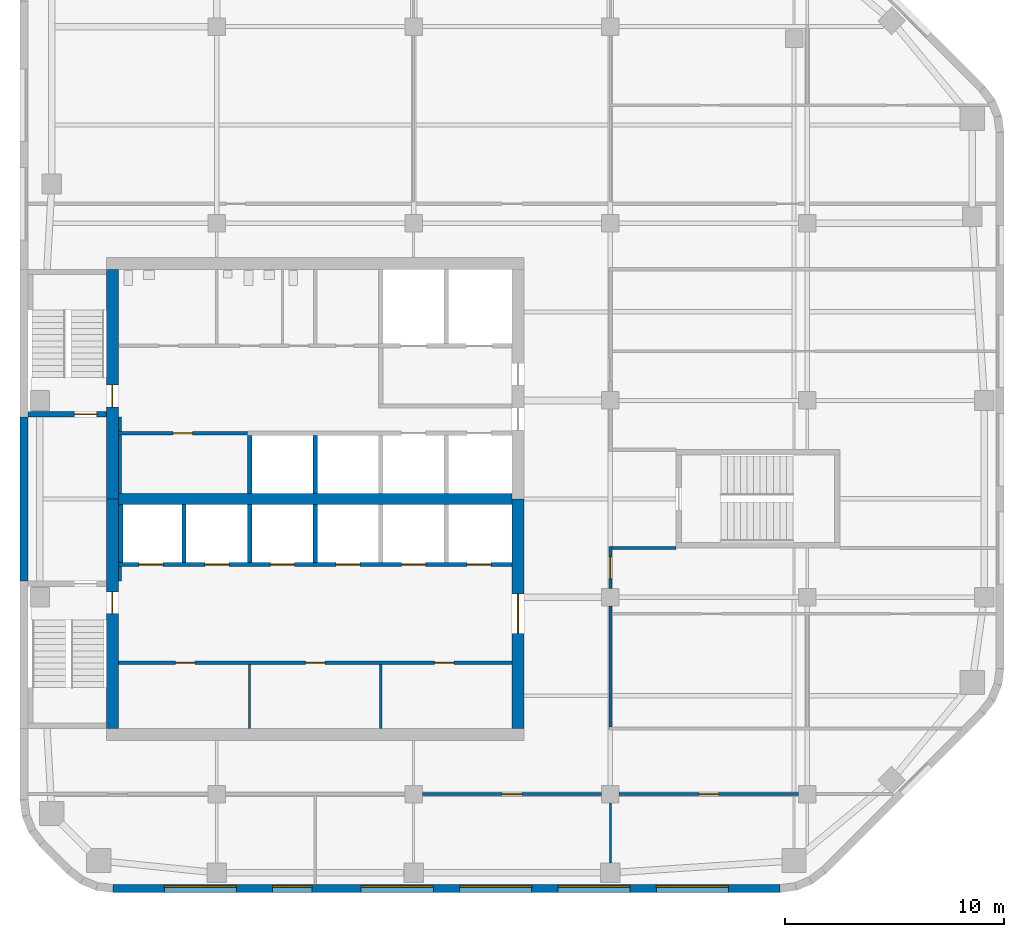
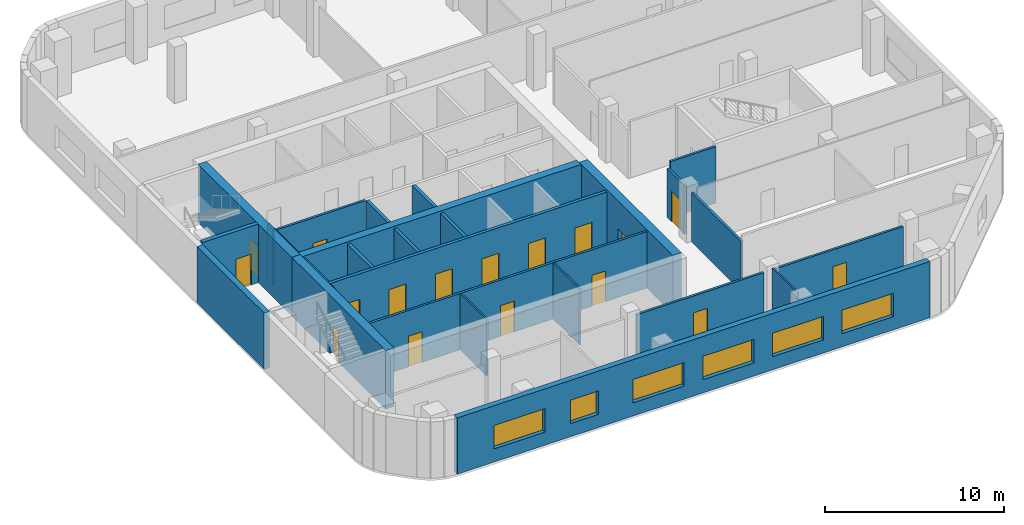
# One storey, part 3 of 8: 27 walls, 17 doors, 6 windows, 23 openings.
"""IFC4 building model written with IfcOpenShell, lengths in metres."""

import ifcopenshell
import ifcopenshell.guid

model = None  # the IFC model being written
_history = None  # IfcOwnerHistory: only IFC2X3 demands one
_inside = {}  # id of a spatial element -> (the spatial element, [elements in it])
_under = {}  # id of a project, library or spatial element -> (it, [spatial elements below it])
_declared = {}  # id of a project -> (the project, [libraries it declares])
_typed = {}  # id of a type object -> (the type object, [elements of that type])
_made_of = {}  # id of a material, layer set ... -> (it, [elements and type objects made of it])


def new_model(schema):
    """Start an empty IFC model of exactly this schema.

    Asked for "IFC4X3", IfcOpenShell would pick the latest addendum, in which some entities
    have other attributes; the version numbers below select the first issue.
    IFC2X3 requires an IfcOwnerHistory on every rooted entity: one is made here for all.
    """
    global model, _history
    if schema == "IFC4X3":
        model = ifcopenshell.file(schema_version=(4, 3, 0, 0))
    else:
        model = ifcopenshell.file(schema=schema)
    _inside.clear()
    _under.clear()
    _declared.clear()
    _typed.clear()
    _made_of.clear()
    _history = None
    if model.schema == "IFC2X3":
        org = make("IfcOrganization", Name="unknown")
        user = make(
            "IfcPersonAndOrganization",
            ThePerson=make("IfcPerson", FamilyName="unknown"),
            TheOrganization=org,
        )
        app = make(
            "IfcApplication",
            ApplicationDeveloper=org,
            Version="unknown",
            ApplicationFullName="unknown",
            ApplicationIdentifier="unknown",
        )
        _history = make(
            "IfcOwnerHistory",
            OwningUser=user,
            OwningApplication=app,
            ChangeAction="ADDED",
            CreationDate=0,
        )
    return model


def make(cls, **values):
    """One entity of the class cls with the attributes given. An attribute that is None is left unset."""
    return model.create_entity(
        cls, **{name: value for name, value in values.items() if value is not None}
    )


def rooted(cls, **values):
    """An entity with a GlobalId (a new one), such as an element, a storey or a relation."""
    return make(cls, GlobalId=ifcopenshell.guid.new(), OwnerHistory=_history, **values)


def si_unit(unit_type, name, prefix=None):
    """IfcSIUnit, for example si_unit("LENGTHUNIT", "METRE", prefix="MILLI")."""
    return make("IfcSIUnit", UnitType=unit_type, Prefix=prefix, Name=name)


def assignment(units):
    """IfcUnitAssignment: the units of a project."""
    return None if units is None else make("IfcUnitAssignment", Units=units)


def point(xyz):
    """IfcCartesianPoint."""
    return None if xyz is None else make("IfcCartesianPoint", Coordinates=xyz)


def direction(xyz):
    """IfcDirection."""
    return None if xyz is None else make("IfcDirection", DirectionRatios=xyz)


def frame(location, z_axis=None, x_axis=None):
    """IfcAxis2Placement3D, a coordinate frame: its origin and axes. An axis left out is left unset."""
    return make(
        "IfcAxis2Placement3D",
        Location=point(location),
        Axis=direction(z_axis),
        RefDirection=direction(x_axis),
    )


def frame_2d(location, x_axis=None):
    """IfcAxis2Placement2D, a coordinate frame in the plane: its origin and x axis."""
    return make(
        "IfcAxis2Placement2D", Location=point(location), RefDirection=direction(x_axis)
    )


def origin():
    """The frame at (0, 0, 0) with its axes left unset."""
    return frame((0.0, 0.0, 0.0))


def place(relative_to, where):
    """IfcLocalPlacement: puts the frame where relative to a parent placement (None: the world)."""
    return make(
        "IfcLocalPlacement", PlacementRelTo=relative_to, RelativePlacement=where
    )


def context(
    kind, dimensions, precision=None, world=None, true_north=None, identifier=None
):
    """IfcGeometricRepresentationContext, for example the 3D "Model" context."""
    return make(
        "IfcGeometricRepresentationContext",
        ContextIdentifier=identifier,
        ContextType=kind,
        CoordinateSpaceDimension=dimensions,
        Precision=precision,
        WorldCoordinateSystem=world,
        TrueNorth=true_north,
    )


def subcontext(parent, identifier, kind, view, scale=None):
    """IfcGeometricRepresentationSubContext, for example "Body" below "Model"."""
    return make(
        "IfcGeometricRepresentationSubContext",
        ContextIdentifier=identifier,
        ContextType=kind,
        ParentContext=parent,
        TargetScale=scale,
        TargetView=view,
    )


def project(units=None, contexts=None):
    """IfcProject with its units and contexts."""
    return rooted(
        "IfcProject",
        Name="project",
        RepresentationContexts=contexts,
        UnitsInContext=assignment(units),
    )


def spatial(cls, under=None, at=None, **own):
    """A site, building, storey or space (cls), placed at a placement, below another one or the project."""
    s = rooted(cls, ObjectPlacement=at, **own)
    if under is not None:
        _under.setdefault(under.id(), (under, []))[1].append(s)
    return s


def profile(cls, at=None, kind="AREA", **sizes):
    """A parametric profile (cls). Its sizes go by their IFC names, for example OverallWidth=200.0."""
    return make(cls, ProfileType=kind, Position=at, **sizes)


def rectangle(**sizes):
    """IfcRectangleProfileDef."""
    return profile("IfcRectangleProfileDef", **sizes)


def extrude(swept, where, along, depth):
    """IfcExtrudedAreaSolid: the profile swept, set in the frame where, extruded along a direction by depth."""
    return make(
        "IfcExtrudedAreaSolid",
        SweptArea=swept,
        Position=where,
        ExtrudedDirection=direction(along),
        Depth=depth,
    )


def shape(context_of_items, identifier, shape_type, items):
    """IfcShapeRepresentation: the items that make up one representation, for example the "Body"."""
    return make(
        "IfcShapeRepresentation",
        ContextOfItems=context_of_items,
        RepresentationIdentifier=identifier,
        RepresentationType=shape_type,
        Items=items,
    )


def material(Name=None, Category=None):
    """IfcMaterial."""
    return make("IfcMaterial", Name=Name, Category=Category)


def layer(
    of_material, thickness, ventilated=None, Name=None, Category=None, Priority=None
):
    """IfcMaterialLayer: one layer of a wall or slab, of a material (None: an air gap)."""
    return make(
        "IfcMaterialLayer",
        Material=of_material,
        LayerThickness=thickness,
        IsVentilated=ventilated,
        Name=Name,
        Category=Category,
        Priority=Priority,
    )


def layer_set(layers, Name=None):
    """IfcMaterialLayerSet."""
    return make("IfcMaterialLayerSet", MaterialLayers=layers, LayerSetName=Name)


def made_of(thing, what):
    """Note that an element or type object is made of a material, layer set ...; save() writes the relation."""
    if what is not None:
        _made_of.setdefault(what.id(), (what, []))[1].append(thing)
    return thing


def type_object(cls, material=None, **own):
    """A type object (cls), such as IfcWallType, which elements share."""
    return made_of(rooted(cls, **own), material)


def element(
    cls,
    number,
    at=None,
    inside=None,
    cuts=None,
    type_object=None,
    material=None,
    context=None,
    identifier="Body",
    shape_type=None,
    held_by="IfcProductDefinitionShape",
    body=None,
    shapes=None,
    **own,
):
    """One element of the class cls, such as IfcWall. Its Tag is "e" and its number.

    at: its placement. inside: the storey or other place that contains it. cuts: it is an
    opening in that element (IfcRelVoidsElement). A single representation is given by context,
    identifier, shape_type and body (its items); several are given by shapes. held_by: the class
    of the entity that holds the representations. save() writes the other relations.
    """
    e = rooted(cls, Tag="e%d" % number, ObjectPlacement=at, **own)
    if body is not None:
        shapes = [shape(context, identifier, shape_type, body)]
    if shapes is not None:
        e.Representation = make(held_by, Representations=shapes)
    if inside is not None:
        _inside.setdefault(inside.id(), (inside, []))[1].append(e)
    if cuts is not None:
        rooted(
            "IfcRelVoidsElement", RelatingBuildingElement=cuts, RelatedOpeningElement=e
        )
    if type_object is not None:
        _typed.setdefault(type_object.id(), (type_object, []))[1].append(e)
    return made_of(e, material)


def fill(opening, filler):
    """IfcRelFillsElement: the door or window that sits in an opening."""
    return rooted(
        "IfcRelFillsElement",
        RelatingOpeningElement=opening,
        RelatedBuildingElement=filler,
    )


def aggregate(whole, parts):
    """IfcRelAggregates: a whole, such as a stair, and the parts it consists of."""
    return rooted("IfcRelAggregates", RelatingObject=whole, RelatedObjects=parts)


def save(model, path):
    """Write the relations noted so far, then the file.

    IfcRelAggregates (storeys below a building ...), IfcRelContainedInSpatialStructure (elements
    in a storey), IfcRelDefinesByType, IfcRelAssociatesMaterial and IfcRelDeclares: one each for
    every whole, place, type object, material and project.
    """
    for whole, parts in _under.values():
        aggregate(whole, parts)
    for where, things in _inside.values():
        rooted(
            "IfcRelContainedInSpatialStructure",
            RelatedElements=things,
            RelatingStructure=where,
        )
    for kind, things in _typed.values():
        rooted("IfcRelDefinesByType", RelatedObjects=things, RelatingType=kind)
    for what, things in _made_of.values():
        rooted("IfcRelAssociatesMaterial", RelatedObjects=things, RelatingMaterial=what)
    for by, libraries in _declared.values():
        rooted("IfcRelDeclares", RelatingContext=by, RelatedDefinitions=libraries)
    model.write(path)


model = new_model("IFC4")

# Units and contexts
model_context = context("Model", 3, precision=1e-05, world=origin(), true_north=direction((0.0, 1.0)))
body_context = subcontext(model_context, "Body", "Model", "MODEL_VIEW")
ifc_project = project(units=[si_unit("LENGTHUNIT", "METRE"), si_unit("AREAUNIT", "SQUARE_METRE"), si_unit("VOLUMEUNIT", "CUBIC_METRE"), si_unit("PLANEANGLEUNIT", "RADIAN"), si_unit("MASSUNIT", "GRAM", prefix="KILO")], contexts=[model_context])

# Site, building, storey
site_placement = place(None, origin())
site = spatial("IfcSite", under=ifc_project, at=site_placement, CompositionType="ELEMENT")
building_placement = place(site_placement, origin())
building = spatial("IfcBuilding", under=site, at=building_placement, Name="Cinnabar Reach Civic Tower", CompositionType="ELEMENT")
storey_placement = place(building_placement, frame((0.0, 0.0, 226.0)))
storey = spatial("IfcBuildingStorey", under=building, at=storey_placement, Name="L54", CompositionType="ELEMENT", Elevation=226.0)

# Wall, openings, windows
ifc_material_1 = material(Name="Facing brick with insulated backing", Category="masonry")
ifc_layer_1 = layer(ifc_material_1, 0.36)
ifc_layer_set_1 = layer_set([ifc_layer_1], Name="Brick pier and spandrel wall")
wall_type_1 = type_object("IfcWallType", Name="Brick pier and spandrel wall", PredefinedType="STANDARD", material=ifc_layer_set_1)
wall_1_placement = place(storey_placement, frame((4.2426, 13.68, 0.0), z_axis=(0.0, 0.0, 1.0), x_axis=(1.0, 0.0, 0.0)))
wall_1 = element("IfcWall", 1, at=wall_1_placement, inside=storey, type_object=wall_type_1, Name="Brick facade wall", PredefinedType="STANDARD", context=body_context, shape_type="SweptSolid", body=[
    extrude(rectangle(XDim=30.5148, YDim=0.36, at=frame_2d((15.2574, 0.0))), origin(), (0.0, 0.0, 1.0), 3.85),
])
opening_1_placement = place(wall_1_placement, frame((2.3574, 0.0, 0.9)))
opening_1 = element("IfcOpeningElement", 2, at=opening_1_placement, cuts=wall_1, Name="Opening W2100", PredefinedType="OPENING", context=body_context, shape_type="SweptSolid", body=[
    extrude(rectangle(XDim=3.3, YDim=1.6, at=frame_2d((1.65, 0.8))), frame((0.0, 0.19, 0.0), z_axis=(0.0, -1.0, 0.0), x_axis=(1.0, 0.0, 0.0)), (0.0, 0.0, 1.0), 0.38),
])
opening_2_placement = place(wall_1_placement, frame((7.3074, 0.0, 0.9)))
opening_2 = element("IfcOpeningElement", 3, at=opening_2_placement, cuts=wall_1, Name="Opening W2101", PredefinedType="OPENING", context=body_context, shape_type="SweptSolid", body=[
    extrude(rectangle(XDim=1.8, YDim=1.6, at=frame_2d((0.9, 0.8))), frame((0.0, 0.19, 0.0), z_axis=(0.0, -1.0, 0.0), x_axis=(1.0, 0.0, 0.0)), (0.0, 0.0, 1.0), 0.38),
])
opening_3_placement = place(wall_1_placement, frame((11.3574, 0.0, 0.9)))
opening_3 = element("IfcOpeningElement", 4, at=opening_3_placement, cuts=wall_1, Name="Opening W2102", PredefinedType="OPENING", context=body_context, shape_type="SweptSolid", body=[
    extrude(rectangle(XDim=3.3, YDim=1.6, at=frame_2d((1.65, 0.8))), frame((0.0, 0.19, 0.0), z_axis=(0.0, -1.0, 0.0), x_axis=(1.0, 0.0, 0.0)), (0.0, 0.0, 1.0), 0.38),
])
opening_4_placement = place(wall_1_placement, frame((15.8574, 0.0, 0.9)))
opening_4 = element("IfcOpeningElement", 5, at=opening_4_placement, cuts=wall_1, Name="Opening W2103", PredefinedType="OPENING", context=body_context, shape_type="SweptSolid", body=[
    extrude(rectangle(XDim=3.3, YDim=1.6, at=frame_2d((1.65, 0.8))), frame((0.0, 0.19, 0.0), z_axis=(0.0, -1.0, 0.0), x_axis=(1.0, 0.0, 0.0)), (0.0, 0.0, 1.0), 0.38),
])
opening_5_placement = place(wall_1_placement, frame((20.3574, 0.0, 0.9)))
opening_5 = element("IfcOpeningElement", 6, at=opening_5_placement, cuts=wall_1, Name="Opening W2104", PredefinedType="OPENING", context=body_context, shape_type="SweptSolid", body=[
    extrude(rectangle(XDim=3.3, YDim=1.6, at=frame_2d((1.65, 0.8))), frame((0.0, 0.19, 0.0), z_axis=(0.0, -1.0, 0.0), x_axis=(1.0, 0.0, 0.0)), (0.0, 0.0, 1.0), 0.38),
])
opening_6_placement = place(wall_1_placement, frame((24.8574, 0.0, 0.9)))
opening_6 = element("IfcOpeningElement", 7, at=opening_6_placement, cuts=wall_1, Name="Opening W2105", PredefinedType="OPENING", context=body_context, shape_type="SweptSolid", body=[
    extrude(rectangle(XDim=3.3, YDim=1.6, at=frame_2d((1.65, 0.8))), frame((0.0, 0.19, 0.0), z_axis=(0.0, -1.0, 0.0), x_axis=(1.0, 0.0, 0.0)), (0.0, 0.0, 1.0), 0.38),
])
ifc_material_2 = material(Name="Clear double glazing in aluminium frame", Category="aluminium")
window_type_1 = type_object("IfcWindowType", Name="Deep-set window A", PartitioningType="SINGLE_PANEL", PredefinedType="WINDOW", material=ifc_material_2)
window_1_placement = place(opening_1_placement, origin())
window_1 = element("IfcWindow", 8, at=window_1_placement, inside=storey, type_object=window_type_1, Name="Window south face", OverallHeight=1.6, OverallWidth=3.3, PartitioningType="SINGLE_PANEL", PredefinedType="WINDOW", context=body_context, shape_type="SweptSolid", body=[
    extrude(rectangle(XDim=3.3, YDim=1.6, at=frame_2d((1.65, 0.8))), frame((0.0, 0.13, 0.0), z_axis=(0.0, -1.0, 0.0), x_axis=(1.0, 0.0, 0.0)), (0.0, 0.0, 1.0), 0.06),
])
fill(opening_1, window_1)
window_2_placement = place(opening_3_placement, origin())
window_2 = element("IfcWindow", 9, at=window_2_placement, inside=storey, type_object=window_type_1, Name="Window south face", OverallHeight=1.6, OverallWidth=3.3, PartitioningType="SINGLE_PANEL", PredefinedType="WINDOW", context=body_context, shape_type="SweptSolid", body=[
    extrude(rectangle(XDim=3.3, YDim=1.6, at=frame_2d((1.65, 0.8))), frame((0.0, 0.13, 0.0), z_axis=(0.0, -1.0, 0.0), x_axis=(1.0, 0.0, 0.0)), (0.0, 0.0, 1.0), 0.06),
])
fill(opening_3, window_2)
window_3_placement = place(opening_4_placement, origin())
window_3 = element("IfcWindow", 10, at=window_3_placement, inside=storey, type_object=window_type_1, Name="Window south face", OverallHeight=1.6, OverallWidth=3.3, PartitioningType="SINGLE_PANEL", PredefinedType="WINDOW", context=body_context, shape_type="SweptSolid", body=[
    extrude(rectangle(XDim=3.3, YDim=1.6, at=frame_2d((1.65, 0.8))), frame((0.0, 0.13, 0.0), z_axis=(0.0, -1.0, 0.0), x_axis=(1.0, 0.0, 0.0)), (0.0, 0.0, 1.0), 0.06),
])
fill(opening_4, window_3)
window_4_placement = place(opening_5_placement, origin())
window_4 = element("IfcWindow", 11, at=window_4_placement, inside=storey, type_object=window_type_1, Name="Window south face", OverallHeight=1.6, OverallWidth=3.3, PartitioningType="SINGLE_PANEL", PredefinedType="WINDOW", context=body_context, shape_type="SweptSolid", body=[
    extrude(rectangle(XDim=3.3, YDim=1.6, at=frame_2d((1.65, 0.8))), frame((0.0, 0.13, 0.0), z_axis=(0.0, -1.0, 0.0), x_axis=(1.0, 0.0, 0.0)), (0.0, 0.0, 1.0), 0.06),
])
fill(opening_5, window_4)
window_5_placement = place(opening_6_placement, origin())
window_5 = element("IfcWindow", 12, at=window_5_placement, inside=storey, type_object=window_type_1, Name="Window south face", OverallHeight=1.6, OverallWidth=3.3, PartitioningType="SINGLE_PANEL", PredefinedType="WINDOW", context=body_context, shape_type="SweptSolid", body=[
    extrude(rectangle(XDim=3.3, YDim=1.6, at=frame_2d((1.65, 0.8))), frame((0.0, 0.13, 0.0), z_axis=(0.0, -1.0, 0.0), x_axis=(1.0, 0.0, 0.0)), (0.0, 0.0, 1.0), 0.06),
])
fill(opening_6, window_5)
window_type_2 = type_object("IfcWindowType", Name="Deep-set window D", PartitioningType="SINGLE_PANEL", PredefinedType="WINDOW", material=ifc_material_2)
window_6_placement = place(opening_2_placement, origin())
window_6 = element("IfcWindow", 13, at=window_6_placement, inside=storey, type_object=window_type_2, Name="Window south face", OverallHeight=1.6, OverallWidth=1.8, PartitioningType="SINGLE_PANEL", PredefinedType="WINDOW", context=body_context, shape_type="SweptSolid", body=[
    extrude(rectangle(XDim=1.8, YDim=1.6, at=frame_2d((0.9, 0.8))), frame((0.0, 0.13, 0.0), z_axis=(0.0, -1.0, 0.0), x_axis=(1.0, 0.0, 0.0)), (0.0, 0.0, 1.0), 0.06),
])
fill(opening_2, window_6)

# Walls
wall_2_placement = place(storey_placement, frame((0.18, 35.25, 0.0), z_axis=(0.0, 0.0, 1.0), x_axis=(0.0, -1.0, 0.0)))
element("IfcWall", 14, at=wall_2_placement, inside=storey, type_object=wall_type_1, Name="Brick facade wall", PredefinedType="STANDARD", context=body_context, shape_type="SweptSolid", body=[
    extrude(rectangle(XDim=7.5, YDim=0.36, at=frame_2d((3.75, 0.0))), origin(), (0.0, 0.0, 1.0), 3.85),
])
ifc_material_3 = material(Name="Concrete C60", Category="concrete")
ifc_layer_2 = layer(ifc_material_3, 0.5)
ifc_layer_set_2 = layer_set([ifc_layer_2], Name="Core wall 500 EI 180")
wall_type_2 = type_object("IfcWallType", Name="Core wall 500 EI 180", PredefinedType="SOLIDWALL", material=ifc_layer_set_2)
wall_3_placement = place(storey_placement, frame((4.5, 31.5, 0.0), z_axis=(0.0, 0.0, 1.0), x_axis=(1.0, 0.0, 0.0)))
element("IfcWall", 15, at=wall_3_placement, inside=storey, type_object=wall_type_2, Name="Core spine wall T1 L54", PredefinedType="SOLIDWALL", context=body_context, shape_type="SweptSolid", body=[
    extrude(rectangle(XDim=18.0, YDim=0.5, at=frame_2d((9.0, 0.0))), origin(), (0.0, 0.0, 1.0), 4.0),
])

# Wall, opening, door
ifc_layer_3 = layer(ifc_material_3, 0.55)
ifc_layer_set_3 = layer_set([ifc_layer_3], Name="Core wall 550 EI 180")
wall_type_3 = type_object("IfcWallType", Name="Core wall 550 EI 180", PredefinedType="SOLIDWALL", material=ifc_layer_set_3)
wall_4_placement = place(storey_placement, frame((22.775, 21.0, 0.0), z_axis=(0.0, 0.0, 1.0), x_axis=(0.0, 1.0, 0.0)))
wall_4 = element("IfcWall", 16, at=wall_4_placement, inside=storey, type_object=wall_type_3, Name="Core wall T1 L54 E", PredefinedType="SOLIDWALL", context=body_context, shape_type="SweptSolid", body=[
    extrude(rectangle(XDim=10.5, YDim=0.55, at=frame_2d((5.25, 0.0))), origin(), (0.0, 0.0, 1.0), 4.0),
])
opening_7_placement = place(wall_4_placement, frame((4.35, 0.0, 0.0)))
opening_7 = element("IfcOpeningElement", 17, at=opening_7_placement, cuts=wall_4, Name="Opening D5200", PredefinedType="OPENING", context=body_context, shape_type="SweptSolid", body=[
    extrude(rectangle(XDim=1.8, YDim=2.1, at=frame_2d((0.9, 1.05))), frame((0.0, 0.285, 0.0), z_axis=(0.0, -1.0, 0.0), x_axis=(1.0, 0.0, 0.0)), (0.0, 0.0, 1.0), 0.57),
])
ifc_material_4 = material(Name="Timber door leaf in steel frame", Category="steel")
door_type_1 = type_object("IfcDoorType", Name="Double swing door 1800 x 2100 T1", OperationType="DOUBLE_DOOR_DOUBLE_SWING", PredefinedType="DOOR", material=ifc_material_4)
door_1_placement = place(opening_7_placement, origin())
door_1 = element("IfcDoor", 18, at=door_1_placement, inside=storey, type_object=door_type_1, Name="Door D5200", OperationType="DOUBLE_DOOR_DOUBLE_SWING", OverallHeight=2.1, OverallWidth=1.8, PredefinedType="DOOR", context=body_context, shape_type="SweptSolid", body=[
    extrude(rectangle(XDim=1.8, YDim=2.1, at=frame_2d((0.9, 1.05))), frame((0.0, 0.025, 0.0), z_axis=(0.0, -1.0, 0.0), x_axis=(1.0, 0.0, 0.0)), (0.0, 0.0, 1.0), 0.05),
])
fill(opening_7, door_1)

wall_5_placement = place(storey_placement, frame((4.225, 42.0, 0.0), z_axis=(0.0, 0.0, 1.0), x_axis=(0.0, -1.0, 0.0)))
wall_5 = element("IfcWall", 19, at=wall_5_placement, inside=storey, type_object=wall_type_3, Name="Core wall T1 L54 W", PredefinedType="SOLIDWALL", context=body_context, shape_type="SweptSolid", body=[
    extrude(rectangle(XDim=10.5, YDim=0.55, at=frame_2d((5.25, 0.0))), origin(), (0.0, 0.0, 1.0), 4.0),
])
opening_8_placement = place(wall_5_placement, frame((5.3, 0.0, 0.0)))
opening_8 = element("IfcOpeningElement", 20, at=opening_8_placement, cuts=wall_5, Name="Opening D5188", PredefinedType="OPENING", context=body_context, shape_type="SweptSolid", body=[
    extrude(rectangle(XDim=1.0, YDim=2.1, at=frame_2d((0.5, 1.05))), frame((0.0, 0.285, 0.0), z_axis=(0.0, -1.0, 0.0), x_axis=(1.0, 0.0, 0.0)), (0.0, 0.0, 1.0), 0.57),
])
door_type_2 = type_object("IfcDoorType", Name="Stair door 1000 x 2100 T1", OperationType="SINGLE_SWING_LEFT", PredefinedType="DOOR", material=ifc_material_4)
door_2_placement = place(opening_8_placement, frame((1.0, 0.0, 0.0), z_axis=(0.0, 0.0, 1.0), x_axis=(-1.0, 0.0, 0.0)))
door_2 = element("IfcDoor", 21, at=door_2_placement, inside=storey, type_object=door_type_2, Name="Door D5188", OperationType="SINGLE_SWING_LEFT", OverallHeight=2.1, OverallWidth=1.0, PredefinedType="DOOR", context=body_context, shape_type="SweptSolid", body=[
    extrude(rectangle(XDim=1.0, YDim=2.1, at=frame_2d((0.5, 1.05))), frame((0.0, 0.025, 0.0), z_axis=(0.0, -1.0, 0.0), x_axis=(1.0, 0.0, 0.0)), (0.0, 0.0, 1.0), 0.05),
])
fill(opening_8, door_2)

wall_6_placement = place(storey_placement, frame((4.225, 31.5, 0.0), z_axis=(0.0, 0.0, 1.0), x_axis=(0.0, -1.0, 0.0)))
wall_6 = element("IfcWall", 22, at=wall_6_placement, inside=storey, type_object=wall_type_3, Name="Core wall T1 L54 W2", PredefinedType="SOLIDWALL", context=body_context, shape_type="SweptSolid", body=[
    extrude(rectangle(XDim=10.5, YDim=0.55, at=frame_2d((5.25, 0.0))), origin(), (0.0, 0.0, 1.0), 4.0),
])
opening_9_placement = place(wall_6_placement, frame((4.25, 0.0, 0.0)))
opening_9 = element("IfcOpeningElement", 23, at=opening_9_placement, cuts=wall_6, Name="Opening D5186", PredefinedType="OPENING", context=body_context, shape_type="SweptSolid", body=[
    extrude(rectangle(XDim=1.0, YDim=2.1, at=frame_2d((0.5, 1.05))), frame((0.0, 0.285, 0.0), z_axis=(0.0, -1.0, 0.0), x_axis=(1.0, 0.0, 0.0)), (0.0, 0.0, 1.0), 0.57),
])
door_3_placement = place(opening_9_placement, frame((1.0, 0.0, 0.0), z_axis=(0.0, 0.0, 1.0), x_axis=(-1.0, 0.0, 0.0)))
door_3 = element("IfcDoor", 24, at=door_3_placement, inside=storey, type_object=door_type_2, Name="Door D5186", OperationType="SINGLE_SWING_RIGHT", OverallHeight=2.1, OverallWidth=1.0, PredefinedType="DOOR", context=body_context, shape_type="SweptSolid", body=[
    extrude(rectangle(XDim=1.0, YDim=2.1, at=frame_2d((0.5, 1.05))), frame((0.0, 0.025, 0.0), z_axis=(0.0, -1.0, 0.0), x_axis=(1.0, 0.0, 0.0)), (0.0, 0.0, 1.0), 0.05),
])
fill(opening_9, door_3)

ifc_material_5 = material(Name="Gypsum board on steel studs, double layer", Category="steel")
ifc_layer_4 = layer(ifc_material_5, 0.15)
ifc_layer_set_4 = layer_set([ifc_layer_4], Name="Corridor wall 150 T1")
wall_type_4 = type_object("IfcWallType", Name="Corridor wall 150 T1", PredefinedType="PARTITIONING", material=ifc_layer_set_4)
wall_7_placement = place(storey_placement, frame((27.4, 18.0, 0.0), z_axis=(0.0, 0.0, 1.0), x_axis=(1.0, 0.0, 0.0)))
wall_7 = element("IfcWall", 25, at=wall_7_placement, inside=storey, type_object=wall_type_4, Name="Corridor wall 20", PredefinedType="PARTITIONING", context=body_context, shape_type="SweptSolid", body=[
    extrude(rectangle(XDim=8.2, YDim=0.15, at=frame_2d((4.1, 0.0))), origin(), (0.0, 0.0, 1.0), 3.254),
])
opening_10_placement = place(wall_7_placement, frame((3.65, 0.0, 0.0)))
opening_10 = element("IfcOpeningElement", 26, at=opening_10_placement, cuts=wall_7, Name="Opening D5219", PredefinedType="OPENING", context=body_context, shape_type="SweptSolid", body=[
    extrude(rectangle(XDim=0.9, YDim=2.1, at=frame_2d((0.45, 1.05))), frame((0.0, 0.085, 0.0), z_axis=(0.0, -1.0, 0.0), x_axis=(1.0, 0.0, 0.0)), (0.0, 0.0, 1.0), 0.17),
])
door_type_3 = type_object("IfcDoorType", Name="Single swing door 900 x 2100 corridor T1", OperationType="SINGLE_SWING_LEFT", PredefinedType="DOOR", material=ifc_material_4)
door_4_placement = place(opening_10_placement, frame((0.9, 0.0, 0.0), z_axis=(0.0, 0.0, 1.0), x_axis=(-1.0, 0.0, 0.0)))
door_4 = element("IfcDoor", 27, at=door_4_placement, inside=storey, type_object=door_type_3, Name="Door D5219", OperationType="SINGLE_SWING_LEFT", OverallHeight=2.1, OverallWidth=0.9, PredefinedType="DOOR", context=body_context, shape_type="SweptSolid", body=[
    extrude(rectangle(XDim=0.9, YDim=2.1, at=frame_2d((0.45, 1.05))), frame((0.0, 0.025, 0.0), z_axis=(0.0, -1.0, 0.0), x_axis=(1.0, 0.0, 0.0)), (0.0, 0.0, 1.0), 0.05),
])
fill(opening_10, door_4)

wall_8_placement = place(storey_placement, frame((18.4, 18.0, 0.0), z_axis=(0.0, 0.0, 1.0), x_axis=(1.0, 0.0, 0.0)))
wall_8 = element("IfcWall", 28, at=wall_8_placement, inside=storey, type_object=wall_type_4, Name="Corridor wall 21", PredefinedType="PARTITIONING", context=body_context, shape_type="SweptSolid", body=[
    extrude(rectangle(XDim=8.2, YDim=0.15, at=frame_2d((4.1, 0.0))), origin(), (0.0, 0.0, 1.0), 3.254),
])
opening_11_placement = place(wall_8_placement, frame((3.65, 0.0, 0.0)))
opening_11 = element("IfcOpeningElement", 29, at=opening_11_placement, cuts=wall_8, Name="Opening D5218", PredefinedType="OPENING", context=body_context, shape_type="SweptSolid", body=[
    extrude(rectangle(XDim=0.9, YDim=2.1, at=frame_2d((0.45, 1.05))), frame((0.0, 0.085, 0.0), z_axis=(0.0, -1.0, 0.0), x_axis=(1.0, 0.0, 0.0)), (0.0, 0.0, 1.0), 0.17),
])
door_5_placement = place(opening_11_placement, frame((0.9, 0.0, 0.0), z_axis=(0.0, 0.0, 1.0), x_axis=(-1.0, 0.0, 0.0)))
door_5 = element("IfcDoor", 30, at=door_5_placement, inside=storey, type_object=door_type_3, Name="Door D5218", OperationType="SINGLE_SWING_RIGHT", OverallHeight=2.1, OverallWidth=0.9, PredefinedType="DOOR", context=body_context, shape_type="SweptSolid", body=[
    extrude(rectangle(XDim=0.9, YDim=2.1, at=frame_2d((0.45, 1.05))), frame((0.0, 0.025, 0.0), z_axis=(0.0, -1.0, 0.0), x_axis=(1.0, 0.0, 0.0)), (0.0, 0.0, 1.0), 0.05),
])
fill(opening_11, door_5)

# Wall, openings, doors
wall_9_placement = place(storey_placement, frame((4.5, 24.0, 0.0), z_axis=(0.0, 0.0, 1.0), x_axis=(1.0, 0.0, 0.0)))
wall_9 = element("IfcWall", 31, at=wall_9_placement, inside=storey, type_object=wall_type_4, Name="Corridor wall 24", PredefinedType="PARTITIONING", context=body_context, shape_type="SweptSolid", body=[
    extrude(rectangle(XDim=18.0, YDim=0.15, at=frame_2d((9.0, 0.0))), origin(), (0.0, 0.0, 1.0), 3.85),
])
opening_12_placement = place(wall_9_placement, frame((2.6, 0.0, 0.0)))
opening_12 = element("IfcOpeningElement", 32, at=opening_12_placement, cuts=wall_9, Name="Opening D5204", PredefinedType="OPENING", context=body_context, shape_type="SweptSolid", body=[
    extrude(rectangle(XDim=0.9, YDim=2.1, at=frame_2d((0.45, 1.05))), frame((0.0, 0.085, 0.0), z_axis=(0.0, -1.0, 0.0), x_axis=(1.0, 0.0, 0.0)), (0.0, 0.0, 1.0), 0.17),
])
opening_13_placement = place(wall_9_placement, frame((8.55, 0.0, 0.0)))
opening_13 = element("IfcOpeningElement", 33, at=opening_13_placement, cuts=wall_9, Name="Opening D5205", PredefinedType="OPENING", context=body_context, shape_type="SweptSolid", body=[
    extrude(rectangle(XDim=0.9, YDim=2.1, at=frame_2d((0.45, 1.05))), frame((0.0, 0.085, 0.0), z_axis=(0.0, -1.0, 0.0), x_axis=(1.0, 0.0, 0.0)), (0.0, 0.0, 1.0), 0.17),
])
opening_14_placement = place(wall_9_placement, frame((14.45, 0.0, 0.0)))
opening_14 = element("IfcOpeningElement", 34, at=opening_14_placement, cuts=wall_9, Name="Opening D5206", PredefinedType="OPENING", context=body_context, shape_type="SweptSolid", body=[
    extrude(rectangle(XDim=0.9, YDim=2.1, at=frame_2d((0.45, 1.05))), frame((0.0, 0.085, 0.0), z_axis=(0.0, -1.0, 0.0), x_axis=(1.0, 0.0, 0.0)), (0.0, 0.0, 1.0), 0.17),
])
door_6_placement = place(opening_12_placement, frame((0.9, 0.0, 0.0), z_axis=(0.0, 0.0, 1.0), x_axis=(-1.0, 0.0, 0.0)))
door_6 = element("IfcDoor", 35, at=door_6_placement, inside=storey, type_object=door_type_3, Name="Door D5204", OperationType="SINGLE_SWING_LEFT", OverallHeight=2.1, OverallWidth=0.9, PredefinedType="DOOR", context=body_context, shape_type="SweptSolid", body=[
    extrude(rectangle(XDim=0.9, YDim=2.1, at=frame_2d((0.45, 1.05))), frame((0.0, 0.025, 0.0), z_axis=(0.0, -1.0, 0.0), x_axis=(1.0, 0.0, 0.0)), (0.0, 0.0, 1.0), 0.05),
])
fill(opening_12, door_6)
door_7_placement = place(opening_13_placement, frame((0.9, 0.0, 0.0), z_axis=(0.0, 0.0, 1.0), x_axis=(-1.0, 0.0, 0.0)))
door_7 = element("IfcDoor", 36, at=door_7_placement, inside=storey, type_object=door_type_3, Name="Door D5205", OperationType="SINGLE_SWING_RIGHT", OverallHeight=2.1, OverallWidth=0.9, PredefinedType="DOOR", context=body_context, shape_type="SweptSolid", body=[
    extrude(rectangle(XDim=0.9, YDim=2.1, at=frame_2d((0.45, 1.05))), frame((0.0, 0.025, 0.0), z_axis=(0.0, -1.0, 0.0), x_axis=(1.0, 0.0, 0.0)), (0.0, 0.0, 1.0), 0.05),
])
fill(opening_13, door_7)
door_8_placement = place(opening_14_placement, frame((0.9, 0.0, 0.0), z_axis=(0.0, 0.0, 1.0), x_axis=(-1.0, 0.0, 0.0)))
door_8 = element("IfcDoor", 37, at=door_8_placement, inside=storey, type_object=door_type_3, Name="Door D5206", OperationType="SINGLE_SWING_RIGHT", OverallHeight=2.1, OverallWidth=0.9, PredefinedType="DOOR", context=body_context, shape_type="SweptSolid", body=[
    extrude(rectangle(XDim=0.9, YDim=2.1, at=frame_2d((0.45, 1.05))), frame((0.0, 0.025, 0.0), z_axis=(0.0, -1.0, 0.0), x_axis=(1.0, 0.0, 0.0)), (0.0, 0.0, 1.0), 0.05),
])
fill(opening_14, door_8)

# Wall
wall_10_placement = place(storey_placement, frame((27.0, 21.075, 0.0), z_axis=(0.0, 0.0, 1.0), x_axis=(0.0, 1.0, 0.0)))
element("IfcWall", 38, at=wall_10_placement, inside=storey, type_object=wall_type_4, Name="Corridor wall 28", PredefinedType="PARTITIONING", context=body_context, shape_type="SweptSolid", body=[
    extrude(rectangle(XDim=5.525, YDim=0.15, at=frame_2d((2.7625, 0.0))), origin(), (0.0, 0.0, 1.0), 3.35),
])

# Wall, opening, door
wall_11_placement = place(storey_placement, frame((27.0, 27.4, 0.0), z_axis=(0.0, 0.0, 1.0), x_axis=(0.0, 1.0, 0.0)))
wall_11 = element("IfcWall", 39, at=wall_11_placement, inside=storey, type_object=wall_type_4, Name="Corridor wall 29", PredefinedType="PARTITIONING", context=body_context, shape_type="SweptSolid", body=[
    extrude(rectangle(XDim=1.925, YDim=0.15, at=frame_2d((0.9625, 0.0))), origin(), (0.0, 0.0, 1.0), 3.35),
])
opening_15_placement = place(wall_11_placement, frame((0.45, 0.0, 0.0)))
opening_15 = element("IfcOpeningElement", 40, at=opening_15_placement, cuts=wall_11, Name="Opening D5214", PredefinedType="OPENING", context=body_context, shape_type="SweptSolid", body=[
    extrude(rectangle(XDim=1.0, YDim=2.1, at=frame_2d((0.5, 1.05))), frame((0.0, 0.085, 0.0), z_axis=(0.0, -1.0, 0.0), x_axis=(1.0, 0.0, 0.0)), (0.0, 0.0, 1.0), 0.17),
])
door_type_4 = type_object("IfcDoorType", Name="Tenancy entrance door 1000 x 2100 T1", OperationType="SINGLE_SWING_LEFT", PredefinedType="DOOR", material=ifc_material_4)
door_9_placement = place(opening_15_placement, frame((1.0, 0.0, 0.0), z_axis=(0.0, 0.0, 1.0), x_axis=(-1.0, 0.0, 0.0)))
door_9 = element("IfcDoor", 41, at=door_9_placement, inside=storey, type_object=door_type_4, Name="Door D5214", OperationType="SINGLE_SWING_LEFT", OverallHeight=2.1, OverallWidth=1.0, PredefinedType="DOOR", context=body_context, shape_type="SweptSolid", body=[
    extrude(rectangle(XDim=1.0, YDim=2.1, at=frame_2d((0.5, 1.05))), frame((0.0, 0.025, 0.0), z_axis=(0.0, -1.0, 0.0), x_axis=(1.0, 0.0, 0.0)), (0.0, 0.0, 1.0), 0.05),
])
fill(opening_15, door_9)

wall_12_placement = place(storey_placement, frame((4.5, 34.5, 0.0), z_axis=(0.0, 0.0, 1.0), x_axis=(1.0, 0.0, 0.0)))
wall_12 = element("IfcWall", 42, at=wall_12_placement, inside=storey, type_object=wall_type_4, Name="Corridor wall 32", PredefinedType="PARTITIONING", context=body_context, shape_type="SweptSolid", body=[
    extrude(rectangle(XDim=5.9, YDim=0.15, at=frame_2d((2.95, 0.0))), origin(), (0.0, 0.0, 1.0), 3.85),
])
opening_16_placement = place(wall_12_placement, frame((2.5, 0.0, 0.0)))
opening_16 = element("IfcOpeningElement", 43, at=opening_16_placement, cuts=wall_12, Name="Opening D5207", PredefinedType="OPENING", context=body_context, shape_type="SweptSolid", body=[
    extrude(rectangle(XDim=0.9, YDim=2.1, at=frame_2d((0.45, 1.05))), frame((0.0, 0.085, 0.0), z_axis=(0.0, -1.0, 0.0), x_axis=(1.0, 0.0, 0.0)), (0.0, 0.0, 1.0), 0.17),
])
door_10_placement = place(opening_16_placement, frame((0.9, 0.0, 0.0), z_axis=(0.0, 0.0, 1.0), x_axis=(-1.0, 0.0, 0.0)))
door_10 = element("IfcDoor", 44, at=door_10_placement, inside=storey, type_object=door_type_3, Name="Door D5207", OperationType="SINGLE_SWING_RIGHT", OverallHeight=2.1, OverallWidth=0.9, PredefinedType="DOOR", context=body_context, shape_type="SweptSolid", body=[
    extrude(rectangle(XDim=0.9, YDim=2.1, at=frame_2d((0.45, 1.05))), frame((0.0, 0.025, 0.0), z_axis=(0.0, -1.0, 0.0), x_axis=(1.0, 0.0, 0.0)), (0.0, 0.0, 1.0), 0.05),
])
fill(opening_16, door_10)

# Walls
wall_13_placement = place(storey_placement, frame((4.575, 34.575, 0.0), z_axis=(0.0, 0.0, 1.0), x_axis=(0.0, 1.0, 0.0)))
element("IfcWall", 45, at=wall_13_placement, inside=storey, type_object=wall_type_4, Name="Corridor wall 33", PredefinedType="PARTITIONING", context=body_context, shape_type="SweptSolid", body=[
    extrude(rectangle(XDim=0.675, YDim=0.15, at=frame_2d((0.3375, 0.0))), origin(), (0.0, 0.0, 1.0), 3.85),
])
wall_14_placement = place(storey_placement, frame((4.575, 31.75, 0.0), z_axis=(0.0, 0.0, 1.0), x_axis=(0.0, 1.0, 0.0)))
element("IfcWall", 46, at=wall_14_placement, inside=storey, type_object=wall_type_4, Name="Corridor wall 34", PredefinedType="PARTITIONING", context=body_context, shape_type="SweptSolid", body=[
    extrude(rectangle(XDim=2.675, YDim=0.15, at=frame_2d((1.3375, 0.0))), origin(), (0.0, 0.0, 1.0), 3.85),
])
wall_15_placement = place(storey_placement, frame((27.075, 29.25, 0.0), z_axis=(0.0, 0.0, 1.0), x_axis=(1.0, 0.0, 0.0)))
element("IfcWall", 47, at=wall_15_placement, inside=storey, type_object=wall_type_4, Name="Corridor wall 35", PredefinedType="PARTITIONING", context=body_context, shape_type="SweptSolid", body=[
    extrude(rectangle(XDim=2.925, YDim=0.15, at=frame_2d((1.4625, 0.0))), origin(), (0.0, 0.0, 1.0), 3.85),
])
wall_16_placement = place(storey_placement, frame((4.575, 27.75, 0.0), z_axis=(0.0, 0.0, 1.0), x_axis=(0.0, 1.0, 0.0)))
element("IfcWall", 48, at=wall_16_placement, inside=storey, type_object=wall_type_4, Name="Corridor wall 37", PredefinedType="PARTITIONING", context=body_context, shape_type="SweptSolid", body=[
    extrude(rectangle(XDim=0.65, YDim=0.15, at=frame_2d((0.325, 0.0))), origin(), (0.0, 0.0, 1.0), 3.85),
])

# Wall, openings, doors
ifc_material_6 = material(Name="Blockwork", Category="masonry")
ifc_layer_5 = layer(ifc_material_6, 0.2)
ifc_layer_set_5 = layer_set([ifc_layer_5], Name="Lift shaft wall 200 T1")
wall_type_5 = type_object("IfcWallType", Name="Lift shaft wall 200 T1", PredefinedType="PARTITIONING", material=ifc_layer_set_5)
wall_17_placement = place(storey_placement, frame((4.5, 28.5, 0.0), z_axis=(0.0, 0.0, 1.0), x_axis=(1.0, 0.0, 0.0)))
wall_17 = element("IfcWall", 49, at=wall_17_placement, inside=storey, type_object=wall_type_5, Name="Lift shaft wall 4", PredefinedType="PARTITIONING", context=body_context, shape_type="SweptSolid", body=[
    extrude(rectangle(XDim=18.0, YDim=0.2, at=frame_2d((9.0, 0.0))), origin(), (0.0, 0.0, 1.0), 3.85),
])
opening_17_placement = place(wall_17_placement, frame((0.95, 0.0, 0.0)))
opening_17 = element("IfcOpeningElement", 50, at=opening_17_placement, cuts=wall_17, Name="Opening D5190", PredefinedType="OPENING", context=body_context, shape_type="SweptSolid", body=[
    extrude(rectangle(XDim=1.1, YDim=2.1, at=frame_2d((0.55, 1.05))), frame((0.0, 0.11, 0.0), z_axis=(0.0, -1.0, 0.0), x_axis=(1.0, 0.0, 0.0)), (0.0, 0.0, 1.0), 0.22),
])
opening_18_placement = place(wall_17_placement, frame((3.95, 0.0, 0.0)))
opening_18 = element("IfcOpeningElement", 51, at=opening_18_placement, cuts=wall_17, Name="Opening D5191", PredefinedType="OPENING", context=body_context, shape_type="SweptSolid", body=[
    extrude(rectangle(XDim=1.1, YDim=2.1, at=frame_2d((0.55, 1.05))), frame((0.0, 0.11, 0.0), z_axis=(0.0, -1.0, 0.0), x_axis=(1.0, 0.0, 0.0)), (0.0, 0.0, 1.0), 0.22),
])
opening_19_placement = place(wall_17_placement, frame((6.95, 0.0, 0.0)))
opening_19 = element("IfcOpeningElement", 52, at=opening_19_placement, cuts=wall_17, Name="Opening D5192", PredefinedType="OPENING", context=body_context, shape_type="SweptSolid", body=[
    extrude(rectangle(XDim=1.1, YDim=2.1, at=frame_2d((0.55, 1.05))), frame((0.0, 0.11, 0.0), z_axis=(0.0, -1.0, 0.0), x_axis=(1.0, 0.0, 0.0)), (0.0, 0.0, 1.0), 0.22),
])
opening_20_placement = place(wall_17_placement, frame((9.95, 0.0, 0.0)))
opening_20 = element("IfcOpeningElement", 53, at=opening_20_placement, cuts=wall_17, Name="Opening D5193", PredefinedType="OPENING", context=body_context, shape_type="SweptSolid", body=[
    extrude(rectangle(XDim=1.1, YDim=2.1, at=frame_2d((0.55, 1.05))), frame((0.0, 0.11, 0.0), z_axis=(0.0, -1.0, 0.0), x_axis=(1.0, 0.0, 0.0)), (0.0, 0.0, 1.0), 0.22),
])
opening_21_placement = place(wall_17_placement, frame((12.95, 0.0, 0.0)))
opening_21 = element("IfcOpeningElement", 54, at=opening_21_placement, cuts=wall_17, Name="Opening D5194", PredefinedType="OPENING", context=body_context, shape_type="SweptSolid", body=[
    extrude(rectangle(XDim=1.1, YDim=2.1, at=frame_2d((0.55, 1.05))), frame((0.0, 0.11, 0.0), z_axis=(0.0, -1.0, 0.0), x_axis=(1.0, 0.0, 0.0)), (0.0, 0.0, 1.0), 0.22),
])
opening_22_placement = place(wall_17_placement, frame((15.95, 0.0, 0.0)))
opening_22 = element("IfcOpeningElement", 55, at=opening_22_placement, cuts=wall_17, Name="Opening D5195", PredefinedType="OPENING", context=body_context, shape_type="SweptSolid", body=[
    extrude(rectangle(XDim=1.1, YDim=2.1, at=frame_2d((0.55, 1.05))), frame((0.0, 0.11, 0.0), z_axis=(0.0, -1.0, 0.0), x_axis=(1.0, 0.0, 0.0)), (0.0, 0.0, 1.0), 0.22),
])
ifc_material_7 = material(Name="Stainless steel sliding door", Category="steel")
door_type_5 = type_object("IfcDoorType", Name="Lift landing door 1100 x 2100 T1", OperationType="SLIDING_TO_LEFT", PredefinedType="DOOR", material=ifc_material_7)
door_11_placement = place(opening_17_placement, origin())
door_11 = element("IfcDoor", 56, at=door_11_placement, inside=storey, type_object=door_type_5, Name="Lift landing door HR1 L54", OperationType="SLIDING_TO_LEFT", OverallHeight=2.1, OverallWidth=1.1, PredefinedType="DOOR", context=body_context, shape_type="SweptSolid", body=[
    extrude(rectangle(XDim=1.1, YDim=2.1, at=frame_2d((0.55, 1.05))), frame((0.0, 0.025, 0.0), z_axis=(0.0, -1.0, 0.0), x_axis=(1.0, 0.0, 0.0)), (0.0, 0.0, 1.0), 0.05),
])
fill(opening_17, door_11)
door_12_placement = place(opening_18_placement, origin())
door_12 = element("IfcDoor", 57, at=door_12_placement, inside=storey, type_object=door_type_5, Name="Lift landing door HR2 L54", OperationType="SLIDING_TO_LEFT", OverallHeight=2.1, OverallWidth=1.1, PredefinedType="DOOR", context=body_context, shape_type="SweptSolid", body=[
    extrude(rectangle(XDim=1.1, YDim=2.1, at=frame_2d((0.55, 1.05))), frame((0.0, 0.025, 0.0), z_axis=(0.0, -1.0, 0.0), x_axis=(1.0, 0.0, 0.0)), (0.0, 0.0, 1.0), 0.05),
])
fill(opening_18, door_12)
door_13_placement = place(opening_19_placement, origin())
door_13 = element("IfcDoor", 58, at=door_13_placement, inside=storey, type_object=door_type_5, Name="Lift landing door HR3 L54", OperationType="SLIDING_TO_LEFT", OverallHeight=2.1, OverallWidth=1.1, PredefinedType="DOOR", context=body_context, shape_type="SweptSolid", body=[
    extrude(rectangle(XDim=1.1, YDim=2.1, at=frame_2d((0.55, 1.05))), frame((0.0, 0.025, 0.0), z_axis=(0.0, -1.0, 0.0), x_axis=(1.0, 0.0, 0.0)), (0.0, 0.0, 1.0), 0.05),
])
fill(opening_19, door_13)
door_14_placement = place(opening_20_placement, origin())
door_14 = element("IfcDoor", 59, at=door_14_placement, inside=storey, type_object=door_type_5, Name="Lift landing door HR4 L54", OperationType="SLIDING_TO_LEFT", OverallHeight=2.1, OverallWidth=1.1, PredefinedType="DOOR", context=body_context, shape_type="SweptSolid", body=[
    extrude(rectangle(XDim=1.1, YDim=2.1, at=frame_2d((0.55, 1.05))), frame((0.0, 0.025, 0.0), z_axis=(0.0, -1.0, 0.0), x_axis=(1.0, 0.0, 0.0)), (0.0, 0.0, 1.0), 0.05),
])
fill(opening_20, door_14)
door_15_placement = place(opening_21_placement, origin())
door_15 = element("IfcDoor", 60, at=door_15_placement, inside=storey, type_object=door_type_5, Name="Lift landing door HR5 L54", OperationType="SLIDING_TO_LEFT", OverallHeight=2.1, OverallWidth=1.1, PredefinedType="DOOR", context=body_context, shape_type="SweptSolid", body=[
    extrude(rectangle(XDim=1.1, YDim=2.1, at=frame_2d((0.55, 1.05))), frame((0.0, 0.025, 0.0), z_axis=(0.0, -1.0, 0.0), x_axis=(1.0, 0.0, 0.0)), (0.0, 0.0, 1.0), 0.05),
])
fill(opening_21, door_15)
door_16_placement = place(opening_22_placement, origin())
door_16 = element("IfcDoor", 61, at=door_16_placement, inside=storey, type_object=door_type_5, Name="Lift landing door HR6 L54", OperationType="SLIDING_TO_LEFT", OverallHeight=2.1, OverallWidth=1.1, PredefinedType="DOOR", context=body_context, shape_type="SweptSolid", body=[
    extrude(rectangle(XDim=1.1, YDim=2.1, at=frame_2d((0.55, 1.05))), frame((0.0, 0.025, 0.0), z_axis=(0.0, -1.0, 0.0), x_axis=(1.0, 0.0, 0.0)), (0.0, 0.0, 1.0), 0.05),
])
fill(opening_22, door_16)

# Walls
for number, where, z_axis, x_axis, name in (
    (62, (10.5, 28.6, 0.0), (0.0, 0.0, 1.0), (0.0, 1.0, 0.0), "Lift shaft wall 6"),
    (63, (10.5, 31.75, 0.0), (0.0, 0.0, 1.0), (0.0, 1.0, 0.0), "Lift shaft wall 7"),
    (64, (13.5, 28.6, 0.0), (0.0, 0.0, 1.0), (0.0, 1.0, 0.0), "Lift shaft wall 8"),
    (65, (13.5, 31.75, 0.0), (0.0, 0.0, 1.0), (0.0, 1.0, 0.0), "Lift shaft wall 9"),
    (66, (4.6, 28.6, 0.0), (0.0, 0.0, 1.0), (0.0, 1.0, 0.0), "Lift shaft wall 16"),
    (67, (7.5, 28.6, 0.0), (0.0, 0.0, 1.0), (0.0, 1.0, 0.0), "Lift shaft wall 17"),
):
    element("IfcWall", number, at=place(storey_placement, frame(where, z_axis=z_axis, x_axis=x_axis)), inside=storey, type_object=wall_type_5, Name=name, PredefinedType="PARTITIONING", context=body_context, shape_type="SweptSolid", body=[
        extrude(rectangle(XDim=2.65, YDim=0.2, at=frame_2d((1.325, 0.0))), origin(), (0.0, 0.0, 1.0), 3.85),
    ])
ifc_material_8 = material(Name="Gypsum board on steel studs", Category="steel")
ifc_layer_6 = layer(ifc_material_8, 0.1)
ifc_layer_set_6 = layer_set([ifc_layer_6], Name="Partition wall 100 T1")
wall_type_6 = type_object("IfcWallType", Name="Partition wall 100 T1", PredefinedType="PARTITIONING", material=ifc_layer_set_6)
wall_18_placement = place(storey_placement, frame((27.0, 14.85, 0.0), z_axis=(0.0, 0.0, 1.0), x_axis=(0.0, 1.0, 0.0)))
element("IfcWall", 68, at=wall_18_placement, inside=storey, type_object=wall_type_6, Name="Partition wall 51", PredefinedType="PARTITIONING", context=body_context, shape_type="SweptSolid", body=[
    extrude(rectangle(XDim=2.75, YDim=0.1, at=frame_2d((1.375, 0.0))), origin(), (0.0, 0.0, 1.0), 3.652),
])
for number, where, z_axis, x_axis, name in (
    (69, (10.5, 21.0, 0.0), (0.0, 0.0, 1.0), (0.0, 1.0, 0.0), "Partition wall 54"),
    (70, (16.5, 21.0, 0.0), (0.0, 0.0, 1.0), (0.0, 1.0, 0.0), "Partition wall 55"),
):
    element("IfcWall", number, at=place(storey_placement, frame(where, z_axis=z_axis, x_axis=x_axis)), inside=storey, type_object=wall_type_6, Name=name, PredefinedType="PARTITIONING", context=body_context, shape_type="SweptSolid", body=[
        extrude(rectangle(XDim=2.925, YDim=0.1, at=frame_2d((1.4625, 0.0))), origin(), (0.0, 0.0, 1.0), 3.85),
    ])

# Wall, opening, door
ifc_layer_7 = layer(ifc_material_3, 0.25)
ifc_layer_set_7 = layer_set([ifc_layer_7], Name="Stair shaft wall 250 EI 120")
wall_type_7 = type_object("IfcWallType", Name="Stair shaft wall 250 EI 120", PredefinedType="SOLIDWALL", material=ifc_layer_set_7)
wall_19_placement = place(storey_placement, frame((0.36, 35.375, 0.0), z_axis=(0.0, 0.0, 1.0), x_axis=(1.0, 0.0, 0.0)))
wall_19 = element("IfcWall", 71, at=wall_19_placement, inside=storey, type_object=wall_type_7, Name="Stair shaft wall T1-S2 L54", PredefinedType="SOLIDWALL", context=body_context, shape_type="SweptSolid", body=[
    extrude(rectangle(XDim=3.59, YDim=0.25, at=frame_2d((1.795, 0.0))), origin(), (0.0, 0.0, 1.0), 4.0),
])
opening_23_placement = place(wall_19_placement, frame((2.14, 0.0, 0.0)))
opening_23 = element("IfcOpeningElement", 72, at=opening_23_placement, cuts=wall_19, Name="Opening D5189", PredefinedType="OPENING", context=body_context, shape_type="SweptSolid", body=[
    extrude(rectangle(XDim=1.0, YDim=2.1, at=frame_2d((0.5, 1.05))), frame((0.0, 0.135, 0.0), z_axis=(0.0, -1.0, 0.0), x_axis=(1.0, 0.0, 0.0)), (0.0, 0.0, 1.0), 0.27),
])
door_17_placement = place(opening_23_placement, origin())
door_17 = element("IfcDoor", 73, at=door_17_placement, inside=storey, type_object=door_type_2, Name="Door D5189", OperationType="SINGLE_SWING_RIGHT", OverallHeight=2.1, OverallWidth=1.0, PredefinedType="DOOR", context=body_context, shape_type="SweptSolid", body=[
    extrude(rectangle(XDim=1.0, YDim=2.1, at=frame_2d((0.5, 1.05))), frame((0.0, 0.025, 0.0), z_axis=(0.0, -1.0, 0.0), x_axis=(1.0, 0.0, 0.0)), (0.0, 0.0, 1.0), 0.05),
])
fill(opening_23, door_17)

save(model, "model.ifc")
